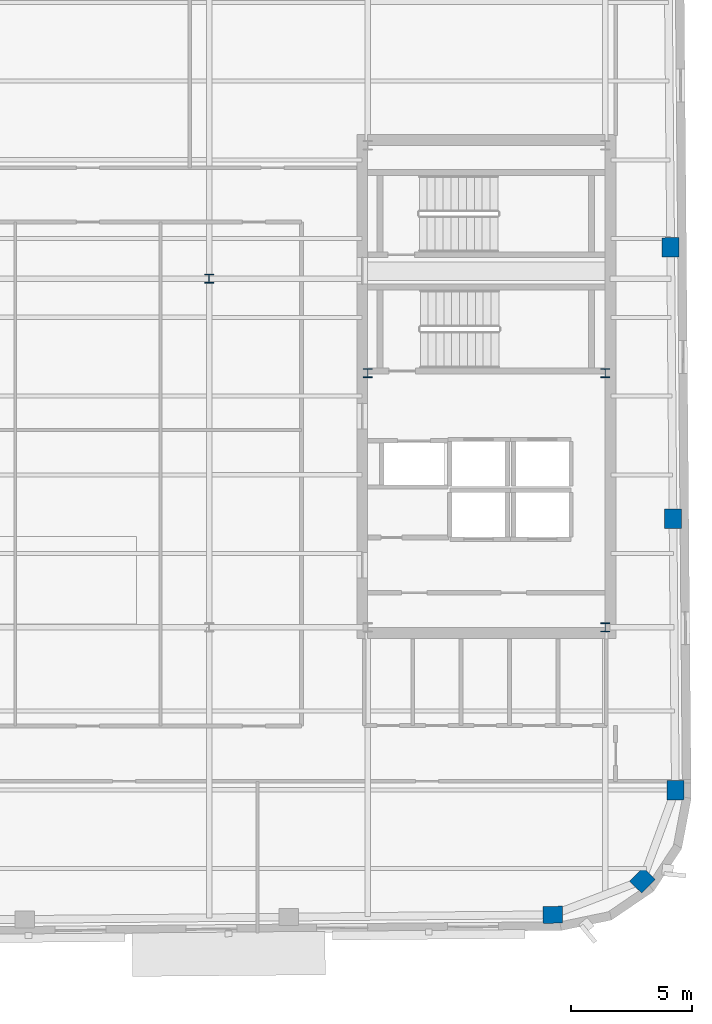
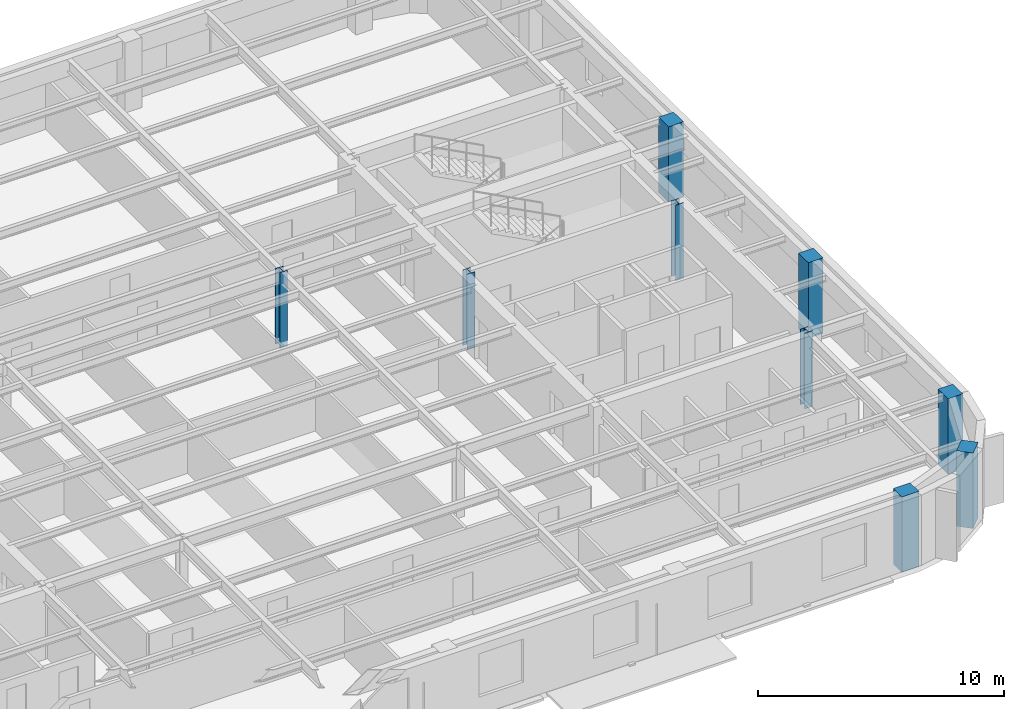
# One storey, part 2 of 15: 9 columns.
"""IFC4 building model written with IfcOpenShell, lengths in metres."""

from ifc_helpers import new_model, si_unit, direction, frame, origin, origin_2d, place, context, subcontext, project, spatial, rectangle, i_section, extrude, material, material_profile, profile_set, type_object, element, save


model = new_model("IFC4")

# Units and contexts
model_context = context("Model", 3, precision=1e-05, world=origin(), true_north=direction((0.0, 1.0)))
body_context = subcontext(model_context, "Body", "Model", "MODEL_VIEW")
ifc_project = project(units=[si_unit("LENGTHUNIT", "METRE"), si_unit("AREAUNIT", "SQUARE_METRE"), si_unit("VOLUMEUNIT", "CUBIC_METRE"), si_unit("PLANEANGLEUNIT", "RADIAN"), si_unit("MASSUNIT", "GRAM", prefix="KILO")], contexts=[model_context])

# Site, building, storey
site_placement = place(None, origin())
site = spatial("IfcSite", under=ifc_project, at=site_placement, CompositionType="ELEMENT")
building_placement = place(site_placement, origin())
building = spatial("IfcBuilding", under=site, at=building_placement, Name="Kolvaren Arena Tower", CompositionType="ELEMENT")
storey_placement = place(building_placement, frame((0.0, 0.0, 304.89990234375)))
storey = spatial("IfcBuildingStorey", under=building, at=storey_placement, Name="L75", CompositionType="ELEMENT", Elevation=304.89990234375)

# Columns
ifc_material_1 = material(Name="Precast concrete C50/60", Category="concrete")
ifc_material_profile_1 = material_profile(ifc_material_1, rectangle(XDim=0.800048828125, YDim=0.699951171875, at=origin_2d()), Name="RC-800x700")
ifc_profile_set_1 = profile_set([ifc_material_profile_1], Name="Precast concrete C50/60")
column_type_1 = type_object("IfcColumnType", Name="EXCOL-Z5", PredefinedType="COLUMN", material=ifc_profile_set_1)
for number, where, z_axis, x_axis, name in (
    (1, (58.190185546875, 7.591064453125, -0.27001953125), (0.0, 0.0, 1.0), (0.999961923064, 0.008726535498, 0.0), "Exoskeleton Perimeter Column 05 (L75)"),
    (2, (61.88671875, 9.0146484375, -0.27001953125), (0.0, 0.0, 1.0), (0.7009092643, 0.713250449154, 0.0), "Exoskeleton Perimeter Column 06 (L75)"),
    (3, (63.24560546875, 12.7353515625, -0.27001953125), (0.0, 0.0, 1.0), (-0.008726535498, 0.999961923064, 0.0), "Exoskeleton Perimeter Column 07 (L75)"),
    (4, (63.147705078125, 23.93505859375, -0.27001953125), (0.0, 0.0, 1.0), (-0.008726535498, 0.999961923064, 0.0), "Exoskeleton Perimeter Column 08 (L75)"),
    (5, (63.050048828125, 35.134521484375, -0.27001953125), (0.0, 0.0, 1.0), (-0.008726535498, 0.999961923064, 0.0), "Exoskeleton Perimeter Column 09 (L75)"),
):
    element("IfcColumn", number, at=place(storey_placement, frame(where, z_axis=z_axis, x_axis=x_axis)), inside=storey, type_object=column_type_1, Name=name, PredefinedType="COLUMN", context=body_context, shape_type="SweptSolid", body=[
        extrude(rectangle(XDim=0.800048828125, YDim=0.699951171875, at=origin_2d()), origin(), (0.0, 0.0, 1.0), 3.75),
    ])
ifc_material_2 = material(Name="Steel ASTM A913 Grade 65", Category="steel")
ifc_material_profile_2 = material_profile(ifc_material_2, i_section(OverallWidth=0.3740234375, OverallDepth=0.3720703125, WebThickness=0.016357421875, FlangeThickness=0.026123046875, FilletRadius=0.02001953125, at=origin_2d()), Name="W360x196")
ifc_profile_set_2 = profile_set([ifc_material_profile_2], Name="Steel ASTM A913 Grade 65")
column_type_2 = type_object("IfcColumnType", Name="SCOL-Z5", PredefinedType="COLUMN", material=ifc_profile_set_2)
for number, where, z_axis, x_axis, name in (
    (6, (60.35009765625, 19.449951171875, -0.27001953125), (0.0, 0.0, 1.0), (1.0, 0.0, 0.0), "Core Boundary Column EC-SE (L75)"),
    (7, (50.550048828125, 29.949951171875, -0.27001953125), (0.0, 0.0, 1.0), (1.0, 0.0, 0.0), "Core Boundary Column EC-MW (L75)"),
    (8, (60.35009765625, 29.949951171875, -0.27001953125), (0.0, 0.0, 1.0), (1.0, 0.0, 0.0), "Core Boundary Column EC-ME (L75)"),
    (9, (44.0, 33.85009765625, -0.27001953125), (0.0, 0.0, 1.0), (1.0, 0.0, 0.0), "Interior Gravity Column TC-NE (L75)"),
):
    element("IfcColumn", number, at=place(storey_placement, frame(where, z_axis=z_axis, x_axis=x_axis)), inside=storey, type_object=column_type_2, Name=name, PredefinedType="COLUMN", context=body_context, shape_type="SweptSolid", body=[
        extrude(i_section(OverallWidth=0.3740234375, OverallDepth=0.3720703125, WebThickness=0.016357421875, FlangeThickness=0.026123046875, FilletRadius=0.02001953125, at=origin_2d()), origin(), (0.0, 0.0, 1.0), 3.75),
    ])

save(model, "model.ifc")
